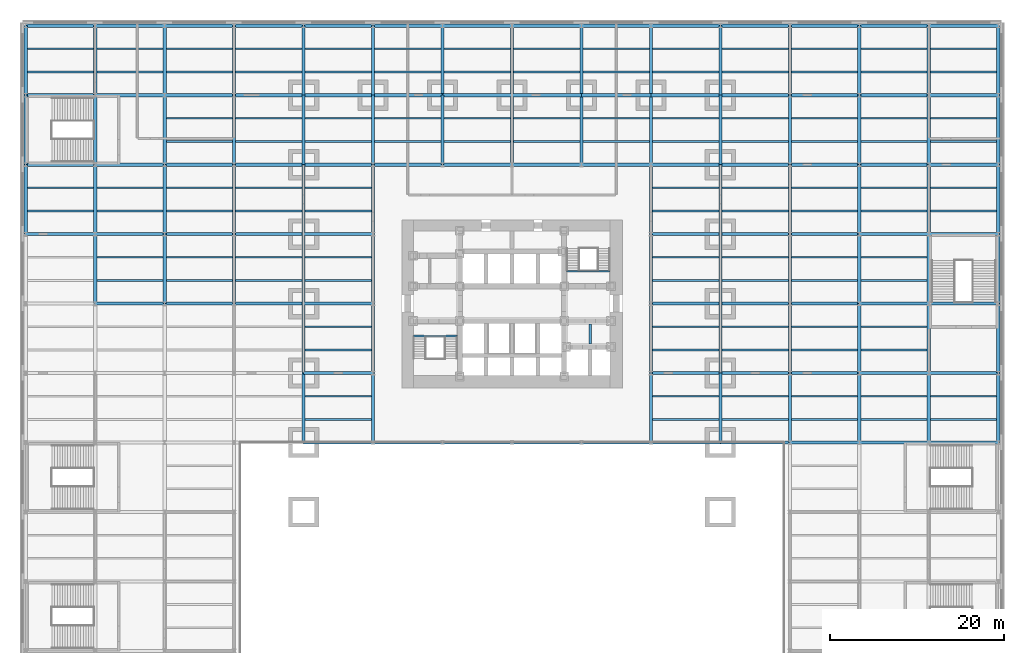
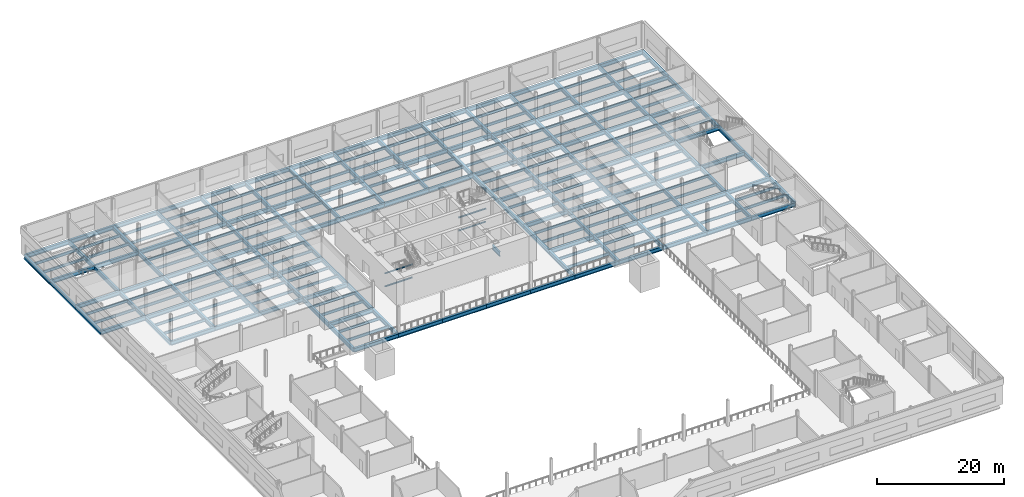
# One storey, part 6 of 18: 261 beams.
"""IFC4 building model written with IfcOpenShell, lengths in metres."""

from ifc_helpers import new_model, si_unit, direction, frame, origin, origin_2d, place, context, subcontext, project, spatial, i_section, extrude, material, material_profile, profile_set, type_object, element, save


model = new_model("IFC4")

# Units and contexts
model_context = context("Model", 3, precision=1e-05, world=origin(), true_north=direction((0.0, 1.0)))
body_context = subcontext(model_context, "Body", "Model", "MODEL_VIEW")
ifc_project = project(units=[si_unit("LENGTHUNIT", "METRE"), si_unit("AREAUNIT", "SQUARE_METRE"), si_unit("VOLUMEUNIT", "CUBIC_METRE"), si_unit("PLANEANGLEUNIT", "RADIAN"), si_unit("MASSUNIT", "GRAM", prefix="KILO")], contexts=[model_context])

# Site, building, storey
site_placement = place(None, origin())
site = spatial("IfcSite", under=ifc_project, at=site_placement, CompositionType="ELEMENT")
building_placement = place(site_placement, origin())
building = spatial("IfcBuilding", under=site, at=building_placement, Name="Daluyong Arena Tower", CompositionType="ELEMENT")
storey_placement = place(building_placement, frame((0.0, 0.0, 4.89990234375)))
storey = spatial("IfcBuildingStorey", under=building, at=storey_placement, Name="L01", CompositionType="ELEMENT", Elevation=4.89990234375)

# Beams
ifc_material_1 = material(Name="Steel ASTM A572 Grade 50", Category="steel")
ifc_material_profile_1 = material_profile(ifc_material_1, i_section(OverallWidth=0.300048828125, OverallDepth=0.89990234375, WebThickness=0.025, FlangeThickness=0.04, at=origin_2d()))
ifc_profile_set_1 = profile_set([ifc_material_profile_1], Name="Steel ASTM A572 Grade 50")
beam_type_1 = type_object("IfcBeamType", Name="Lift divider beam PG900X300", PredefinedType="BEAM", material=ifc_profile_set_1)
beam_1_placement = place(storey_placement, frame((65.0, 75.324951171875, -0.64990234375), z_axis=(0.0, 1.0, 0.0), x_axis=(-1.0, 0.0, 0.0)))
element("IfcBeam", 1, at=beam_1_placement, inside=storey, type_object=beam_type_1, Name="lift divider beam DB1", PredefinedType="BEAM", context=body_context, shape_type="SweptSolid", body=[
    extrude(i_section(OverallWidth=0.300048828125, OverallDepth=0.89990234375, WebThickness=0.025, FlangeThickness=0.04, at=origin_2d()), origin(), (0.0, 0.0, 1.0), 2.35009765625),
])
ifc_material_2 = material(Name="Steel ASTM A992 Grade 50", Category="steel")
ifc_material_profile_2 = material_profile(ifc_material_2, i_section(OverallWidth=0.209228515625, OverallDepth=0.533447265625, WebThickness=0.01025390625, FlangeThickness=0.015625, at=origin_2d()))
ifc_profile_set_2 = profile_set([ifc_material_profile_2], Name="Steel ASTM A992 Grade 50")
beam_type_2 = type_object("IfcBeamType", Name="Podium floor beam W21X62", PredefinedType="BEAM", material=ifc_profile_set_2)
for number, where, z_axis, x_axis, name in (
    (2, (0.1904296875, 90.666748046875, -0.466552734375), (1.0, 0.0, 0.0), (0.0, 1.0, 0.0), "podium floor beam PB1"),
    (3, (0.1904296875, 93.333251953125, -0.466552734375), (1.0, 0.0, 0.0), (0.0, 1.0, 0.0), "podium floor beam PB1"),
    (4, (0.1904296875, 106.666748046875, -0.466552734375), (1.0, 0.0, 0.0), (0.0, 1.0, 0.0), "podium floor beam PB1"),
    (5, (0.1904296875, 109.333251953125, -0.466552734375), (1.0, 0.0, 0.0), (0.0, 1.0, 0.0), "podium floor beam PB1"),
    (6, (8.1904296875, 82.666748046875, -0.466552734375), (1.0, 0.0, 0.0), (0.0, 1.0, 0.0), "podium floor beam PB1"),
    (7, (8.1904296875, 85.333251953125, -0.466552734375), (1.0, 0.0, 0.0), (0.0, 1.0, 0.0), "podium floor beam PB1"),
    (8, (8.1904296875, 90.666748046875, -0.466552734375), (1.0, 0.0, 0.0), (0.0, 1.0, 0.0), "podium floor beam PB1"),
    (9, (8.1904296875, 93.333251953125, -0.466552734375), (1.0, 0.0, 0.0), (0.0, 1.0, 0.0), "podium floor beam PB1"),
    (10, (8.1904296875, 106.666748046875, -0.466552734375), (1.0, 0.0, 0.0), (0.0, 1.0, 0.0), "podium floor beam PB1"),
    (11, (8.1904296875, 109.333251953125, -0.466552734375), (1.0, 0.0, 0.0), (0.0, 1.0, 0.0), "podium floor beam PB1"),
    (12, (16.1904296875, 82.666748046875, -0.466552734375), (1.0, 0.0, 0.0), (0.0, 1.0, 0.0), "podium floor beam PB1"),
    (13, (16.1904296875, 85.333251953125, -0.466552734375), (1.0, 0.0, 0.0), (0.0, 1.0, 0.0), "podium floor beam PB1"),
    (14, (16.1904296875, 90.666748046875, -0.466552734375), (1.0, 0.0, 0.0), (0.0, 1.0, 0.0), "podium floor beam PB1"),
    (15, (16.1904296875, 93.333251953125, -0.466552734375), (1.0, 0.0, 0.0), (0.0, 1.0, 0.0), "podium floor beam PB1"),
    (16, (16.1904296875, 98.666748046875, -0.466552734375), (1.0, 0.0, 0.0), (0.0, 1.0, 0.0), "podium floor beam PB1"),
    (17, (16.1904296875, 101.333251953125, -0.466552734375), (1.0, 0.0, 0.0), (0.0, 1.0, 0.0), "podium floor beam PB1"),
    (18, (16.1904296875, 106.666748046875, -0.466552734375), (1.0, 0.0, 0.0), (0.0, 1.0, 0.0), "podium floor beam PB1"),
    (19, (16.1904296875, 109.333251953125, -0.466552734375), (1.0, 0.0, 0.0), (0.0, 1.0, 0.0), "podium floor beam PB1"),
    (20, (24.1904296875, 82.666748046875, -0.466552734375), (1.0, 0.0, 0.0), (0.0, 1.0, 0.0), "podium floor beam PB1"),
    (21, (24.1904296875, 85.333251953125, -0.466552734375), (1.0, 0.0, 0.0), (0.0, 1.0, 0.0), "podium floor beam PB1"),
    (22, (24.1904296875, 90.666748046875, -0.466552734375), (1.0, 0.0, 0.0), (0.0, 1.0, 0.0), "podium floor beam PB1"),
    (23, (24.1904296875, 93.333251953125, -0.466552734375), (1.0, 0.0, 0.0), (0.0, 1.0, 0.0), "podium floor beam PB1"),
    (24, (24.1904296875, 98.666748046875, -0.466552734375), (1.0, 0.0, 0.0), (0.0, 1.0, 0.0), "podium floor beam PB1"),
    (25, (24.1904296875, 101.333251953125, -0.466552734375), (1.0, 0.0, 0.0), (0.0, 1.0, 0.0), "podium floor beam PB1"),
    (26, (24.1904296875, 106.666748046875, -0.466552734375), (1.0, 0.0, 0.0), (0.0, 1.0, 0.0), "podium floor beam PB1"),
    (27, (24.1904296875, 109.333251953125, -0.466552734375), (1.0, 0.0, 0.0), (0.0, 1.0, 0.0), "podium floor beam PB1"),
    (28, (32.1904296875, 66.666748046875, -0.466552734375), (1.0, 0.0, 0.0), (0.0, 1.0, 0.0), "podium floor beam PB1"),
    (29, (32.1904296875, 69.333251953125, -0.466552734375), (1.0, 0.0, 0.0), (0.0, 1.0, 0.0), "podium floor beam PB1"),
    (30, (32.1904296875, 74.666748046875, -0.466552734375), (1.0, 0.0, 0.0), (0.0, 1.0, 0.0), "podium floor beam PB1"),
    (31, (32.1904296875, 77.333251953125, -0.466552734375), (1.0, 0.0, 0.0), (0.0, 1.0, 0.0), "podium floor beam PB1"),
    (32, (32.1904296875, 82.666748046875, -0.466552734375), (1.0, 0.0, 0.0), (0.0, 1.0, 0.0), "podium floor beam PB1"),
    (33, (32.1904296875, 85.333251953125, -0.466552734375), (1.0, 0.0, 0.0), (0.0, 1.0, 0.0), "podium floor beam PB1"),
    (34, (32.1904296875, 90.666748046875, -0.466552734375), (1.0, 0.0, 0.0), (0.0, 1.0, 0.0), "podium floor beam PB1"),
    (35, (32.1904296875, 93.333251953125, -0.466552734375), (1.0, 0.0, 0.0), (0.0, 1.0, 0.0), "podium floor beam PB1"),
    (36, (32.1904296875, 98.666748046875, -0.466552734375), (1.0, 0.0, 0.0), (0.0, 1.0, 0.0), "podium floor beam PB1"),
    (37, (32.1904296875, 101.333251953125, -0.466552734375), (1.0, 0.0, 0.0), (0.0, 1.0, 0.0), "podium floor beam PB1"),
    (38, (32.1904296875, 106.666748046875, -0.466552734375), (1.0, 0.0, 0.0), (0.0, 1.0, 0.0), "podium floor beam PB1"),
    (39, (32.1904296875, 109.333251953125, -0.466552734375), (1.0, 0.0, 0.0), (0.0, 1.0, 0.0), "podium floor beam PB1"),
    (40, (40.1904296875, 98.666748046875, -0.466552734375), (1.0, 0.0, 0.0), (0.0, 1.0, 0.0), "podium floor beam PB1"),
    (41, (40.1904296875, 101.333251953125, -0.466552734375), (1.0, 0.0, 0.0), (0.0, 1.0, 0.0), "podium floor beam PB1"),
    (42, (40.1904296875, 106.666748046875, -0.466552734375), (1.0, 0.0, 0.0), (0.0, 1.0, 0.0), "podium floor beam PB1"),
    (43, (40.1904296875, 109.333251953125, -0.466552734375), (1.0, 0.0, 0.0), (0.0, 1.0, 0.0), "podium floor beam PB1"),
    (44, (48.1904296875, 98.666748046875, -0.466552734375), (1.0, 0.0, 0.0), (0.0, 1.0, 0.0), "podium floor beam PB1"),
    (45, (48.1904296875, 101.333251953125, -0.466552734375), (1.0, 0.0, 0.0), (0.0, 1.0, 0.0), "podium floor beam PB1"),
    (46, (48.1904296875, 106.666748046875, -0.466552734375), (1.0, 0.0, 0.0), (0.0, 1.0, 0.0), "podium floor beam PB1"),
    (47, (48.1904296875, 109.333251953125, -0.466552734375), (1.0, 0.0, 0.0), (0.0, 1.0, 0.0), "podium floor beam PB1"),
    (48, (56.1904296875, 98.666748046875, -0.466552734375), (1.0, 0.0, 0.0), (0.0, 1.0, 0.0), "podium floor beam PB1"),
    (49, (56.1904296875, 101.333251953125, -0.466552734375), (1.0, 0.0, 0.0), (0.0, 1.0, 0.0), "podium floor beam PB1"),
    (50, (56.1904296875, 106.666748046875, -0.466552734375), (1.0, 0.0, 0.0), (0.0, 1.0, 0.0), "podium floor beam PB1"),
    (51, (56.1904296875, 109.333251953125, -0.466552734375), (1.0, 0.0, 0.0), (0.0, 1.0, 0.0), "podium floor beam PB1"),
    (52, (64.1904296875, 98.666748046875, -0.466552734375), (1.0, 0.0, 0.0), (0.0, 1.0, 0.0), "podium floor beam PB1"),
    (53, (64.1904296875, 101.333251953125, -0.466552734375), (1.0, 0.0, 0.0), (0.0, 1.0, 0.0), "podium floor beam PB1"),
    (54, (64.1904296875, 106.666748046875, -0.466552734375), (1.0, 0.0, 0.0), (0.0, 1.0, 0.0), "podium floor beam PB1"),
    (55, (64.1904296875, 109.333251953125, -0.466552734375), (1.0, 0.0, 0.0), (0.0, 1.0, 0.0), "podium floor beam PB1"),
    (56, (72.1904296875, 66.666748046875, -0.466552734375), (1.0, 0.0, 0.0), (0.0, 1.0, 0.0), "podium floor beam PB1"),
    (57, (72.1904296875, 69.333251953125, -0.466552734375), (1.0, 0.0, 0.0), (0.0, 1.0, 0.0), "podium floor beam PB1"),
    (58, (72.1904296875, 74.666748046875, -0.466552734375), (1.0, 0.0, 0.0), (0.0, 1.0, 0.0), "podium floor beam PB1"),
    (59, (72.1904296875, 77.333251953125, -0.466552734375), (1.0, 0.0, 0.0), (0.0, 1.0, 0.0), "podium floor beam PB1"),
    (60, (72.1904296875, 82.666748046875, -0.466552734375), (1.0, 0.0, 0.0), (0.0, 1.0, 0.0), "podium floor beam PB1"),
    (61, (72.1904296875, 85.333251953125, -0.466552734375), (1.0, 0.0, 0.0), (0.0, 1.0, 0.0), "podium floor beam PB1"),
    (62, (72.1904296875, 90.666748046875, -0.466552734375), (1.0, 0.0, 0.0), (0.0, 1.0, 0.0), "podium floor beam PB1"),
    (63, (72.1904296875, 93.333251953125, -0.466552734375), (1.0, 0.0, 0.0), (0.0, 1.0, 0.0), "podium floor beam PB1"),
    (64, (72.1904296875, 98.666748046875, -0.466552734375), (1.0, 0.0, 0.0), (0.0, 1.0, 0.0), "podium floor beam PB1"),
    (65, (72.1904296875, 101.333251953125, -0.466552734375), (1.0, 0.0, 0.0), (0.0, 1.0, 0.0), "podium floor beam PB1"),
    (66, (72.1904296875, 106.666748046875, -0.466552734375), (1.0, 0.0, 0.0), (0.0, 1.0, 0.0), "podium floor beam PB1"),
    (67, (72.1904296875, 109.333251953125, -0.466552734375), (1.0, 0.0, 0.0), (0.0, 1.0, 0.0), "podium floor beam PB1"),
    (68, (80.1904296875, 66.666748046875, -0.466552734375), (1.0, 0.0, 0.0), (0.0, 1.0, 0.0), "podium floor beam PB1"),
    (69, (80.1904296875, 69.333251953125, -0.466552734375), (1.0, 0.0, 0.0), (0.0, 1.0, 0.0), "podium floor beam PB1"),
    (70, (80.1904296875, 74.666748046875, -0.466552734375), (1.0, 0.0, 0.0), (0.0, 1.0, 0.0), "podium floor beam PB1"),
    (71, (80.1904296875, 77.333251953125, -0.466552734375), (1.0, 0.0, 0.0), (0.0, 1.0, 0.0), "podium floor beam PB1"),
    (72, (80.1904296875, 82.666748046875, -0.466552734375), (1.0, 0.0, 0.0), (0.0, 1.0, 0.0), "podium floor beam PB1"),
    (73, (80.1904296875, 85.333251953125, -0.466552734375), (1.0, 0.0, 0.0), (0.0, 1.0, 0.0), "podium floor beam PB1"),
    (74, (80.1904296875, 90.666748046875, -0.466552734375), (1.0, 0.0, 0.0), (0.0, 1.0, 0.0), "podium floor beam PB1"),
    (75, (80.1904296875, 93.333251953125, -0.466552734375), (1.0, 0.0, 0.0), (0.0, 1.0, 0.0), "podium floor beam PB1"),
    (76, (80.1904296875, 98.666748046875, -0.466552734375), (1.0, 0.0, 0.0), (0.0, 1.0, 0.0), "podium floor beam PB1"),
    (77, (80.1904296875, 101.333251953125, -0.466552734375), (1.0, 0.0, 0.0), (0.0, 1.0, 0.0), "podium floor beam PB1"),
    (78, (80.1904296875, 106.666748046875, -0.466552734375), (1.0, 0.0, 0.0), (0.0, 1.0, 0.0), "podium floor beam PB1"),
    (79, (80.1904296875, 109.333251953125, -0.466552734375), (1.0, 0.0, 0.0), (0.0, 1.0, 0.0), "podium floor beam PB1"),
    (80, (88.1904296875, 66.666748046875, -0.466552734375), (1.0, 0.0, 0.0), (0.0, 1.0, 0.0), "podium floor beam PB1"),
    (81, (88.1904296875, 69.333251953125, -0.466552734375), (1.0, 0.0, 0.0), (0.0, 1.0, 0.0), "podium floor beam PB1"),
    (82, (88.1904296875, 74.666748046875, -0.466552734375), (1.0, 0.0, 0.0), (0.0, 1.0, 0.0), "podium floor beam PB1"),
    (83, (88.1904296875, 77.333251953125, -0.466552734375), (1.0, 0.0, 0.0), (0.0, 1.0, 0.0), "podium floor beam PB1"),
    (84, (88.1904296875, 82.666748046875, -0.466552734375), (1.0, 0.0, 0.0), (0.0, 1.0, 0.0), "podium floor beam PB1"),
    (85, (88.1904296875, 85.333251953125, -0.466552734375), (1.0, 0.0, 0.0), (0.0, 1.0, 0.0), "podium floor beam PB1"),
    (86, (88.1904296875, 90.666748046875, -0.466552734375), (1.0, 0.0, 0.0), (0.0, 1.0, 0.0), "podium floor beam PB1"),
    (87, (88.1904296875, 93.333251953125, -0.466552734375), (1.0, 0.0, 0.0), (0.0, 1.0, 0.0), "podium floor beam PB1"),
    (88, (88.1904296875, 98.666748046875, -0.466552734375), (1.0, 0.0, 0.0), (0.0, 1.0, 0.0), "podium floor beam PB1"),
    (89, (88.1904296875, 101.333251953125, -0.466552734375), (1.0, 0.0, 0.0), (0.0, 1.0, 0.0), "podium floor beam PB1"),
    (90, (88.1904296875, 106.666748046875, -0.466552734375), (1.0, 0.0, 0.0), (0.0, 1.0, 0.0), "podium floor beam PB1"),
    (91, (88.1904296875, 109.333251953125, -0.466552734375), (1.0, 0.0, 0.0), (0.0, 1.0, 0.0), "podium floor beam PB1"),
    (92, (96.1904296875, 66.666748046875, -0.466552734375), (1.0, 0.0, 0.0), (0.0, 1.0, 0.0), "podium floor beam PB1"),
    (93, (96.1904296875, 69.333251953125, -0.466552734375), (1.0, 0.0, 0.0), (0.0, 1.0, 0.0), "podium floor beam PB1"),
    (94, (96.1904296875, 74.666748046875, -0.466552734375), (1.0, 0.0, 0.0), (0.0, 1.0, 0.0), "podium floor beam PB1"),
    (95, (96.1904296875, 77.333251953125, -0.466552734375), (1.0, 0.0, 0.0), (0.0, 1.0, 0.0), "podium floor beam PB1"),
    (96, (96.1904296875, 82.666748046875, -0.466552734375), (1.0, 0.0, 0.0), (0.0, 1.0, 0.0), "podium floor beam PB1"),
    (97, (96.1904296875, 85.333251953125, -0.466552734375), (1.0, 0.0, 0.0), (0.0, 1.0, 0.0), "podium floor beam PB1"),
    (98, (96.1904296875, 90.666748046875, -0.466552734375), (1.0, 0.0, 0.0), (0.0, 1.0, 0.0), "podium floor beam PB1"),
    (99, (96.1904296875, 93.333251953125, -0.466552734375), (1.0, 0.0, 0.0), (0.0, 1.0, 0.0), "podium floor beam PB1"),
    (100, (96.1904296875, 98.666748046875, -0.466552734375), (1.0, 0.0, 0.0), (0.0, 1.0, 0.0), "podium floor beam PB1"),
    (101, (96.1904296875, 101.333251953125, -0.466552734375), (1.0, 0.0, 0.0), (0.0, 1.0, 0.0), "podium floor beam PB1"),
    (102, (96.1904296875, 106.666748046875, -0.466552734375), (1.0, 0.0, 0.0), (0.0, 1.0, 0.0), "podium floor beam PB1"),
    (103, (96.1904296875, 109.333251953125, -0.466552734375), (1.0, 0.0, 0.0), (0.0, 1.0, 0.0), "podium floor beam PB1"),
    (104, (104.1904296875, 66.666748046875, -0.466552734375), (1.0, 0.0, 0.0), (0.0, 1.0, 0.0), "podium floor beam PB1"),
    (105, (104.1904296875, 69.333251953125, -0.466552734375), (1.0, 0.0, 0.0), (0.0, 1.0, 0.0), "podium floor beam PB1"),
    (106, (104.1904296875, 90.666748046875, -0.466552734375), (1.0, 0.0, 0.0), (0.0, 1.0, 0.0), "podium floor beam PB1"),
    (107, (104.1904296875, 93.333251953125, -0.466552734375), (1.0, 0.0, 0.0), (0.0, 1.0, 0.0), "podium floor beam PB1"),
    (108, (104.1904296875, 98.666748046875, -0.466552734375), (1.0, 0.0, 0.0), (0.0, 1.0, 0.0), "podium floor beam PB1"),
    (109, (104.1904296875, 101.333251953125, -0.466552734375), (1.0, 0.0, 0.0), (0.0, 1.0, 0.0), "podium floor beam PB1"),
    (110, (104.1904296875, 106.666748046875, -0.466552734375), (1.0, 0.0, 0.0), (0.0, 1.0, 0.0), "podium floor beam PB1"),
    (111, (104.1904296875, 109.333251953125, -0.466552734375), (1.0, 0.0, 0.0), (0.0, 1.0, 0.0), "podium floor beam PB1"),
):
    element("IfcBeam", number, at=place(storey_placement, frame(where, z_axis=z_axis, x_axis=x_axis)), inside=storey, type_object=beam_type_2, Name=name, PredefinedType="BEAM", context=body_context, shape_type="SweptSolid", body=[
        extrude(i_section(OverallWidth=0.209228515625, OverallDepth=0.533447265625, WebThickness=0.01025390625, FlangeThickness=0.015625, at=origin_2d()), origin(), (0.0, 0.0, 1.0), 7.619140625),
    ])
ifc_material_3 = material(Name="Steel ASTM A992 Grade 50", Category="steel")
ifc_material_profile_3 = material_profile(ifc_material_3, i_section(OverallWidth=0.381103515625, OverallDepth=0.772216796875, WebThickness=0.0166015625, FlangeThickness=0.027099609375, at=origin_2d()))
ifc_profile_set_3 = profile_set([ifc_material_profile_3], Name="Steel ASTM A992 Grade 50")
beam_type_3 = type_object("IfcBeamType", Name="Podium girder W30X173", PredefinedType="BEAM", material=ifc_profile_set_3)
for number, where, z_axis, x_axis, name in (
    (112, (0.0, 88.0, -0.5859375), (1.0, 0.0, 0.0), (0.0, 1.0, 0.0), "podium girder PG1"),
    (113, (0.0, 88.0, -0.5859375), (0.0, 1.0, 0.0), (-1.0, 0.0, 0.0), "podium girder PG1"),
    (114, (0.0, 96.0, -0.5859375), (1.0, 0.0, 0.0), (0.0, 1.0, 0.0), "podium girder PG1"),
    (115, (0.0, 96.0, -0.5859375), (0.0, 1.0, 0.0), (-1.0, 0.0, 0.0), "podium girder PG1"),
    (116, (0.0, 104.0, -0.5859375), (1.0, 0.0, 0.0), (0.0, 1.0, 0.0), "podium girder PG1"),
    (117, (0.0, 104.0, -0.5859375), (0.0, 1.0, 0.0), (-1.0, 0.0, 0.0), "podium girder PG1"),
    (118, (0.0, 112.0, -0.5859375), (1.0, 0.0, 0.0), (0.0, 1.0, 0.0), "podium girder PG1"),
    (119, (8.0, 80.0, -0.5859375), (1.0, 0.0, 0.0), (0.0, 1.0, 0.0), "podium girder PG1"),
    (120, (8.0, 80.0, -0.5859375), (0.0, 1.0, 0.0), (-1.0, 0.0, 0.0), "podium girder PG1"),
    (121, (8.0, 88.0, -0.5859375), (1.0, 0.0, 0.0), (0.0, 1.0, 0.0), "podium girder PG1"),
    (122, (8.0, 88.0, -0.5859375), (0.0, 1.0, 0.0), (-1.0, 0.0, 0.0), "podium girder PG1"),
    (123, (8.0, 96.0, -0.5859375), (1.0, 0.0, 0.0), (0.0, 1.0, 0.0), "podium girder PG1"),
    (124, (8.0, 96.0, -0.5859375), (0.0, 1.0, 0.0), (-1.0, 0.0, 0.0), "podium girder PG1"),
    (125, (8.0, 104.0, -0.5859375), (1.0, 0.0, 0.0), (0.0, 1.0, 0.0), "podium girder PG1"),
    (126, (8.0, 104.0, -0.5859375), (0.0, 1.0, 0.0), (-1.0, 0.0, 0.0), "podium girder PG1"),
    (127, (8.0, 112.0, -0.5859375), (1.0, 0.0, 0.0), (0.0, 1.0, 0.0), "podium girder PG1"),
    (128, (16.0, 80.0, -0.5859375), (1.0, 0.0, 0.0), (0.0, 1.0, 0.0), "podium girder PG1"),
    (129, (16.0, 80.0, -0.5859375), (0.0, 1.0, 0.0), (-1.0, 0.0, 0.0), "podium girder PG1"),
    (130, (16.0, 88.0, -0.5859375), (1.0, 0.0, 0.0), (0.0, 1.0, 0.0), "podium girder PG1"),
    (131, (16.0, 88.0, -0.5859375), (0.0, 1.0, 0.0), (-1.0, 0.0, 0.0), "podium girder PG1"),
    (132, (16.0, 96.0, -0.5859375), (1.0, 0.0, 0.0), (0.0, 1.0, 0.0), "podium girder PG1"),
    (133, (16.0, 96.0, -0.5859375), (0.0, 1.0, 0.0), (-1.0, 0.0, 0.0), "podium girder PG1"),
    (134, (16.0, 104.0, -0.5859375), (1.0, 0.0, 0.0), (0.0, 1.0, 0.0), "podium girder PG1"),
    (135, (16.0, 104.0, -0.5859375), (0.0, 1.0, 0.0), (-1.0, 0.0, 0.0), "podium girder PG1"),
    (136, (16.0, 112.0, -0.5859375), (1.0, 0.0, 0.0), (0.0, 1.0, 0.0), "podium girder PG1"),
    (137, (24.0, 80.0, -0.5859375), (1.0, 0.0, 0.0), (0.0, 1.0, 0.0), "podium girder PG1"),
    (138, (24.0, 80.0, -0.5859375), (0.0, 1.0, 0.0), (-1.0, 0.0, 0.0), "podium girder PG1"),
    (139, (24.0, 88.0, -0.5859375), (1.0, 0.0, 0.0), (0.0, 1.0, 0.0), "podium girder PG1"),
    (140, (24.0, 88.0, -0.5859375), (0.0, 1.0, 0.0), (-1.0, 0.0, 0.0), "podium girder PG1"),
    (141, (24.0, 96.0, -0.5859375), (1.0, 0.0, 0.0), (0.0, 1.0, 0.0), "podium girder PG1"),
    (142, (24.0, 96.0, -0.5859375), (0.0, 1.0, 0.0), (-1.0, 0.0, 0.0), "podium girder PG1"),
    (143, (24.0, 104.0, -0.5859375), (1.0, 0.0, 0.0), (0.0, 1.0, 0.0), "podium girder PG1"),
    (144, (24.0, 104.0, -0.5859375), (0.0, 1.0, 0.0), (-1.0, 0.0, 0.0), "podium girder PG1"),
    (145, (24.0, 112.0, -0.5859375), (1.0, 0.0, 0.0), (0.0, 1.0, 0.0), "podium girder PG1"),
    (146, (32.0, 64.0, -0.5859375), (1.0, 0.0, 0.0), (0.0, 1.0, 0.0), "podium girder PG1"),
    (147, (32.0, 64.0, -0.5859375), (0.0, 1.0, 0.0), (-1.0, 0.0, 0.0), "podium girder PG1"),
    (148, (32.0, 72.0, -0.5859375), (1.0, 0.0, 0.0), (0.0, 1.0, 0.0), "podium girder PG1"),
    (149, (32.0, 72.0, -0.5859375), (0.0, 1.0, 0.0), (-1.0, 0.0, 0.0), "podium girder PG1"),
    (150, (32.0, 80.0, -0.5859375), (1.0, 0.0, 0.0), (0.0, 1.0, 0.0), "podium girder PG1"),
    (151, (32.0, 80.0, -0.5859375), (0.0, 1.0, 0.0), (-1.0, 0.0, 0.0), "podium girder PG1"),
    (152, (32.0, 88.0, -0.5859375), (1.0, 0.0, 0.0), (0.0, 1.0, 0.0), "podium girder PG1"),
    (153, (32.0, 88.0, -0.5859375), (0.0, 1.0, 0.0), (-1.0, 0.0, 0.0), "podium girder PG1"),
    (154, (32.0, 96.0, -0.5859375), (1.0, 0.0, 0.0), (0.0, 1.0, 0.0), "podium girder PG1"),
    (155, (32.0, 96.0, -0.5859375), (0.0, 1.0, 0.0), (-1.0, 0.0, 0.0), "podium girder PG1"),
    (156, (32.0, 104.0, -0.5859375), (1.0, 0.0, 0.0), (0.0, 1.0, 0.0), "podium girder PG1"),
    (157, (32.0, 104.0, -0.5859375), (0.0, 1.0, 0.0), (-1.0, 0.0, 0.0), "podium girder PG1"),
    (158, (32.0, 112.0, -0.5859375), (1.0, 0.0, 0.0), (0.0, 1.0, 0.0), "podium girder PG1"),
    (159, (40.0, 64.0, -0.5859375), (1.0, 0.0, 0.0), (0.0, 1.0, 0.0), "podium girder PG1"),
    (160, (40.0, 64.0, -0.5859375), (0.0, 1.0, 0.0), (-1.0, 0.0, 0.0), "podium girder PG1"),
    (161, (40.0, 72.0, -0.5859375), (0.0, 1.0, 0.0), (-1.0, 0.0, 0.0), "podium girder PG1"),
    (162, (40.0, 80.0, -0.5859375), (0.0, 1.0, 0.0), (-1.0, 0.0, 0.0), "podium girder PG1"),
    (163, (40.0, 88.0, -0.5859375), (0.0, 1.0, 0.0), (-1.0, 0.0, 0.0), "podium girder PG1"),
    (164, (40.0, 96.0, -0.5859375), (1.0, 0.0, 0.0), (0.0, 1.0, 0.0), "podium girder PG1"),
    (165, (40.0, 96.0, -0.5859375), (0.0, 1.0, 0.0), (-1.0, 0.0, 0.0), "podium girder PG1"),
    (166, (40.0, 104.0, -0.5859375), (1.0, 0.0, 0.0), (0.0, 1.0, 0.0), "podium girder PG1"),
    (167, (40.0, 104.0, -0.5859375), (0.0, 1.0, 0.0), (-1.0, 0.0, 0.0), "podium girder PG1"),
    (168, (40.0, 112.0, -0.5859375), (1.0, 0.0, 0.0), (0.0, 1.0, 0.0), "podium girder PG1"),
    (169, (48.0, 64.0, -0.5859375), (1.0, 0.0, 0.0), (0.0, 1.0, 0.0), "podium girder PG1"),
    (170, (48.0, 96.0, -0.5859375), (1.0, 0.0, 0.0), (0.0, 1.0, 0.0), "podium girder PG1"),
    (171, (48.0, 96.0, -0.5859375), (0.0, 1.0, 0.0), (-1.0, 0.0, 0.0), "podium girder PG1"),
    (172, (48.0, 104.0, -0.5859375), (1.0, 0.0, 0.0), (0.0, 1.0, 0.0), "podium girder PG1"),
    (173, (48.0, 104.0, -0.5859375), (0.0, 1.0, 0.0), (-1.0, 0.0, 0.0), "podium girder PG1"),
    (174, (48.0, 112.0, -0.5859375), (1.0, 0.0, 0.0), (0.0, 1.0, 0.0), "podium girder PG1"),
    (175, (56.0, 64.0, -0.5859375), (1.0, 0.0, 0.0), (0.0, 1.0, 0.0), "podium girder PG1"),
    (176, (56.0, 96.0, -0.5859375), (1.0, 0.0, 0.0), (0.0, 1.0, 0.0), "podium girder PG1"),
    (177, (56.0, 96.0, -0.5859375), (0.0, 1.0, 0.0), (-1.0, 0.0, 0.0), "podium girder PG1"),
    (178, (56.0, 104.0, -0.5859375), (1.0, 0.0, 0.0), (0.0, 1.0, 0.0), "podium girder PG1"),
    (179, (56.0, 104.0, -0.5859375), (0.0, 1.0, 0.0), (-1.0, 0.0, 0.0), "podium girder PG1"),
    (180, (56.0, 112.0, -0.5859375), (1.0, 0.0, 0.0), (0.0, 1.0, 0.0), "podium girder PG1"),
    (181, (64.0, 64.0, -0.5859375), (1.0, 0.0, 0.0), (0.0, 1.0, 0.0), "podium girder PG1"),
    (182, (64.0, 96.0, -0.5859375), (1.0, 0.0, 0.0), (0.0, 1.0, 0.0), "podium girder PG1"),
    (183, (64.0, 96.0, -0.5859375), (0.0, 1.0, 0.0), (-1.0, 0.0, 0.0), "podium girder PG1"),
    (184, (64.0, 104.0, -0.5859375), (1.0, 0.0, 0.0), (0.0, 1.0, 0.0), "podium girder PG1"),
    (185, (64.0, 104.0, -0.5859375), (0.0, 1.0, 0.0), (-1.0, 0.0, 0.0), "podium girder PG1"),
    (186, (64.0, 112.0, -0.5859375), (1.0, 0.0, 0.0), (0.0, 1.0, 0.0), "podium girder PG1"),
    (187, (72.0, 64.0, -0.5859375), (1.0, 0.0, 0.0), (0.0, 1.0, 0.0), "podium girder PG1"),
    (188, (72.0, 64.0, -0.5859375), (0.0, 1.0, 0.0), (-1.0, 0.0, 0.0), "podium girder PG1"),
    (189, (72.0, 72.0, -0.5859375), (1.0, 0.0, 0.0), (0.0, 1.0, 0.0), "podium girder PG1"),
    (190, (72.0, 72.0, -0.5859375), (0.0, 1.0, 0.0), (-1.0, 0.0, 0.0), "podium girder PG1"),
    (191, (72.0, 80.0, -0.5859375), (1.0, 0.0, 0.0), (0.0, 1.0, 0.0), "podium girder PG1"),
    (192, (72.0, 80.0, -0.5859375), (0.0, 1.0, 0.0), (-1.0, 0.0, 0.0), "podium girder PG1"),
    (193, (72.0, 88.0, -0.5859375), (1.0, 0.0, 0.0), (0.0, 1.0, 0.0), "podium girder PG1"),
    (194, (72.0, 88.0, -0.5859375), (0.0, 1.0, 0.0), (-1.0, 0.0, 0.0), "podium girder PG1"),
    (195, (72.0, 96.0, -0.5859375), (1.0, 0.0, 0.0), (0.0, 1.0, 0.0), "podium girder PG1"),
    (196, (72.0, 96.0, -0.5859375), (0.0, 1.0, 0.0), (-1.0, 0.0, 0.0), "podium girder PG1"),
    (197, (72.0, 104.0, -0.5859375), (1.0, 0.0, 0.0), (0.0, 1.0, 0.0), "podium girder PG1"),
    (198, (72.0, 104.0, -0.5859375), (0.0, 1.0, 0.0), (-1.0, 0.0, 0.0), "podium girder PG1"),
    (199, (72.0, 112.0, -0.5859375), (1.0, 0.0, 0.0), (0.0, 1.0, 0.0), "podium girder PG1"),
    (200, (80.0, 64.0, -0.5859375), (1.0, 0.0, 0.0), (0.0, 1.0, 0.0), "podium girder PG1"),
    (201, (80.0, 64.0, -0.5859375), (0.0, 1.0, 0.0), (-1.0, 0.0, 0.0), "podium girder PG1"),
    (202, (80.0, 72.0, -0.5859375), (1.0, 0.0, 0.0), (0.0, 1.0, 0.0), "podium girder PG1"),
    (203, (80.0, 72.0, -0.5859375), (0.0, 1.0, 0.0), (-1.0, 0.0, 0.0), "podium girder PG1"),
    (204, (80.0, 80.0, -0.5859375), (1.0, 0.0, 0.0), (0.0, 1.0, 0.0), "podium girder PG1"),
    (205, (80.0, 80.0, -0.5859375), (0.0, 1.0, 0.0), (-1.0, 0.0, 0.0), "podium girder PG1"),
    (206, (80.0, 88.0, -0.5859375), (1.0, 0.0, 0.0), (0.0, 1.0, 0.0), "podium girder PG1"),
    (207, (80.0, 88.0, -0.5859375), (0.0, 1.0, 0.0), (-1.0, 0.0, 0.0), "podium girder PG1"),
    (208, (80.0, 96.0, -0.5859375), (1.0, 0.0, 0.0), (0.0, 1.0, 0.0), "podium girder PG1"),
    (209, (80.0, 96.0, -0.5859375), (0.0, 1.0, 0.0), (-1.0, 0.0, 0.0), "podium girder PG1"),
    (210, (80.0, 104.0, -0.5859375), (1.0, 0.0, 0.0), (0.0, 1.0, 0.0), "podium girder PG1"),
    (211, (80.0, 104.0, -0.5859375), (0.0, 1.0, 0.0), (-1.0, 0.0, 0.0), "podium girder PG1"),
    (212, (80.0, 112.0, -0.5859375), (1.0, 0.0, 0.0), (0.0, 1.0, 0.0), "podium girder PG1"),
    (213, (88.0, 64.0, -0.5859375), (1.0, 0.0, 0.0), (0.0, 1.0, 0.0), "podium girder PG1"),
    (214, (88.0, 64.0, -0.5859375), (0.0, 1.0, 0.0), (-1.0, 0.0, 0.0), "podium girder PG1"),
    (215, (88.0, 72.0, -0.5859375), (1.0, 0.0, 0.0), (0.0, 1.0, 0.0), "podium girder PG1"),
    (216, (88.0, 72.0, -0.5859375), (0.0, 1.0, 0.0), (-1.0, 0.0, 0.0), "podium girder PG1"),
    (217, (88.0, 80.0, -0.5859375), (1.0, 0.0, 0.0), (0.0, 1.0, 0.0), "podium girder PG1"),
    (218, (88.0, 80.0, -0.5859375), (0.0, 1.0, 0.0), (-1.0, 0.0, 0.0), "podium girder PG1"),
    (219, (88.0, 88.0, -0.5859375), (1.0, 0.0, 0.0), (0.0, 1.0, 0.0), "podium girder PG1"),
    (220, (88.0, 88.0, -0.5859375), (0.0, 1.0, 0.0), (-1.0, 0.0, 0.0), "podium girder PG1"),
    (221, (88.0, 96.0, -0.5859375), (1.0, 0.0, 0.0), (0.0, 1.0, 0.0), "podium girder PG1"),
    (222, (88.0, 96.0, -0.5859375), (0.0, 1.0, 0.0), (-1.0, 0.0, 0.0), "podium girder PG1"),
    (223, (88.0, 104.0, -0.5859375), (1.0, 0.0, 0.0), (0.0, 1.0, 0.0), "podium girder PG1"),
    (224, (88.0, 104.0, -0.5859375), (0.0, 1.0, 0.0), (-1.0, 0.0, 0.0), "podium girder PG1"),
    (225, (88.0, 112.0, -0.5859375), (1.0, 0.0, 0.0), (0.0, 1.0, 0.0), "podium girder PG1"),
    (226, (96.0, 64.0, -0.5859375), (1.0, 0.0, 0.0), (0.0, 1.0, 0.0), "podium girder PG1"),
    (227, (96.0, 64.0, -0.5859375), (0.0, 1.0, 0.0), (-1.0, 0.0, 0.0), "podium girder PG1"),
    (228, (96.0, 72.0, -0.5859375), (1.0, 0.0, 0.0), (0.0, 1.0, 0.0), "podium girder PG1"),
    (229, (96.0, 72.0, -0.5859375), (0.0, 1.0, 0.0), (-1.0, 0.0, 0.0), "podium girder PG1"),
    (230, (96.0, 80.0, -0.5859375), (1.0, 0.0, 0.0), (0.0, 1.0, 0.0), "podium girder PG1"),
    (231, (96.0, 80.0, -0.5859375), (0.0, 1.0, 0.0), (-1.0, 0.0, 0.0), "podium girder PG1"),
    (232, (96.0, 88.0, -0.5859375), (1.0, 0.0, 0.0), (0.0, 1.0, 0.0), "podium girder PG1"),
    (233, (96.0, 88.0, -0.5859375), (0.0, 1.0, 0.0), (-1.0, 0.0, 0.0), "podium girder PG1"),
    (234, (96.0, 96.0, -0.5859375), (1.0, 0.0, 0.0), (0.0, 1.0, 0.0), "podium girder PG1"),
    (235, (96.0, 96.0, -0.5859375), (0.0, 1.0, 0.0), (-1.0, 0.0, 0.0), "podium girder PG1"),
    (236, (96.0, 104.0, -0.5859375), (1.0, 0.0, 0.0), (0.0, 1.0, 0.0), "podium girder PG1"),
    (237, (96.0, 104.0, -0.5859375), (0.0, 1.0, 0.0), (-1.0, 0.0, 0.0), "podium girder PG1"),
    (238, (96.0, 112.0, -0.5859375), (1.0, 0.0, 0.0), (0.0, 1.0, 0.0), "podium girder PG1"),
    (239, (104.0, 64.0, -0.5859375), (1.0, 0.0, 0.0), (0.0, 1.0, 0.0), "podium girder PG1"),
    (240, (104.0, 64.0, -0.5859375), (0.0, 1.0, 0.0), (-1.0, 0.0, 0.0), "podium girder PG1"),
    (241, (104.0, 72.0, -0.5859375), (1.0, 0.0, 0.0), (0.0, 1.0, 0.0), "podium girder PG1"),
    (242, (104.0, 72.0, -0.5859375), (0.0, 1.0, 0.0), (-1.0, 0.0, 0.0), "podium girder PG1"),
    (243, (104.0, 80.0, -0.5859375), (1.0, 0.0, 0.0), (0.0, 1.0, 0.0), "podium girder PG1"),
    (244, (104.0, 80.0, -0.5859375), (0.0, 1.0, 0.0), (-1.0, 0.0, 0.0), "podium girder PG1"),
    (245, (104.0, 88.0, -0.5859375), (1.0, 0.0, 0.0), (0.0, 1.0, 0.0), "podium girder PG1"),
    (246, (104.0, 88.0, -0.5859375), (0.0, 1.0, 0.0), (-1.0, 0.0, 0.0), "podium girder PG1"),
    (247, (104.0, 96.0, -0.5859375), (1.0, 0.0, 0.0), (0.0, 1.0, 0.0), "podium girder PG1"),
    (248, (104.0, 96.0, -0.5859375), (0.0, 1.0, 0.0), (-1.0, 0.0, 0.0), "podium girder PG1"),
    (249, (104.0, 104.0, -0.5859375), (1.0, 0.0, 0.0), (0.0, 1.0, 0.0), "podium girder PG1"),
    (250, (104.0, 104.0, -0.5859375), (0.0, 1.0, 0.0), (-1.0, 0.0, 0.0), "podium girder PG1"),
    (251, (104.0, 112.0, -0.5859375), (1.0, 0.0, 0.0), (0.0, 1.0, 0.0), "podium girder PG1"),
    (252, (112.0, 64.0, -0.5859375), (0.0, 1.0, 0.0), (-1.0, 0.0, 0.0), "podium girder PG1"),
    (253, (112.0, 72.0, -0.5859375), (0.0, 1.0, 0.0), (-1.0, 0.0, 0.0), "podium girder PG1"),
    (254, (112.0, 80.0, -0.5859375), (0.0, 1.0, 0.0), (-1.0, 0.0, 0.0), "podium girder PG1"),
    (255, (112.0, 88.0, -0.5859375), (0.0, 1.0, 0.0), (-1.0, 0.0, 0.0), "podium girder PG1"),
    (256, (112.0, 96.0, -0.5859375), (0.0, 1.0, 0.0), (-1.0, 0.0, 0.0), "podium girder PG1"),
    (257, (112.0, 104.0, -0.5859375), (0.0, 1.0, 0.0), (-1.0, 0.0, 0.0), "podium girder PG1"),
):
    element("IfcBeam", number, at=place(storey_placement, frame(where, z_axis=z_axis, x_axis=x_axis)), inside=storey, type_object=beam_type_3, Name=name, PredefinedType="BEAM", context=body_context, shape_type="SweptSolid", body=[
        extrude(i_section(OverallWidth=0.381103515625, OverallDepth=0.772216796875, WebThickness=0.0166015625, FlangeThickness=0.027099609375, at=origin_2d()), origin(), (0.0, 0.0, 1.0), 8.0),
    ])
ifc_material_4 = material(Name="Steel ASTM A992 Grade 50", Category="steel")
ifc_material_profile_4 = material_profile(ifc_material_4, i_section(OverallWidth=0.203125, OverallDepth=0.203125, WebThickness=0.00732421875, FlangeThickness=0.010986328125, at=origin_2d()))
ifc_profile_set_4 = profile_set([ifc_material_profile_4], Name="Steel ASTM A992 Grade 50")
beam_type_4 = type_object("IfcBeamType", Name="Stair landing beam W8X31", PredefinedType="BEAM", material=ifc_profile_set_4)
beam_2_placement = place(storey_placement, frame((44.639892578125, 76.276611328125, -0.301513671875), z_axis=(1.0, 0.0, 0.0), x_axis=(0.0, 1.0, 0.0)))
element("IfcBeam", 258, at=beam_2_placement, inside=storey, type_object=beam_type_4, Name="exit stair A landing beam", PredefinedType="BEAM", context=body_context, shape_type="SweptSolid", body=[
    extrude(i_section(OverallWidth=0.203125, OverallDepth=0.203125, WebThickness=0.00732421875, FlangeThickness=0.010986328125, at=origin_2d()), origin(), (0.0, 0.0, 1.0), 5.03515625),
])
beam_3_placement = place(storey_placement, frame((44.639892578125, 76.276611328125, 2.198486328125), z_axis=(1.0, 0.0, 0.0), x_axis=(0.0, 1.0, 0.0)))
element("IfcBeam", 259, at=beam_3_placement, inside=storey, type_object=beam_type_4, Name="exit stair A landing beam", PredefinedType="BEAM", context=body_context, shape_type="SweptSolid", body=[
    extrude(i_section(OverallWidth=0.203125, OverallDepth=0.203125, WebThickness=0.00732421875, FlangeThickness=0.010986328125, at=origin_2d()), origin(), (0.0, 0.0, 1.0), 5.06005859375),
])
beam_4_placement = place(storey_placement, frame((62.324951171875, 83.723388671875, -0.301513671875), z_axis=(1.0, 0.0, 0.0), x_axis=(0.0, 1.0, 0.0)))
element("IfcBeam", 260, at=beam_4_placement, inside=storey, type_object=beam_type_4, Name="exit stair B landing beam", PredefinedType="BEAM", context=body_context, shape_type="SweptSolid", body=[
    extrude(i_section(OverallWidth=0.203125, OverallDepth=0.203125, WebThickness=0.00732421875, FlangeThickness=0.010986328125, at=origin_2d()), origin(), (0.0, 0.0, 1.0), 4.925048828125),
])
beam_5_placement = place(storey_placement, frame((62.300048828125, 83.723388671875, 2.198486328125), z_axis=(1.0, 0.0, 0.0), x_axis=(0.0, 1.0, 0.0)))
element("IfcBeam", 261, at=beam_5_placement, inside=storey, type_object=beam_type_4, Name="exit stair B landing beam", PredefinedType="BEAM", context=body_context, shape_type="SweptSolid", body=[
    extrude(i_section(OverallWidth=0.203125, OverallDepth=0.203125, WebThickness=0.00732421875, FlangeThickness=0.010986328125, at=origin_2d()), origin(), (0.0, 0.0, 1.0), 5.0),
])

save(model, "model.ifc")
